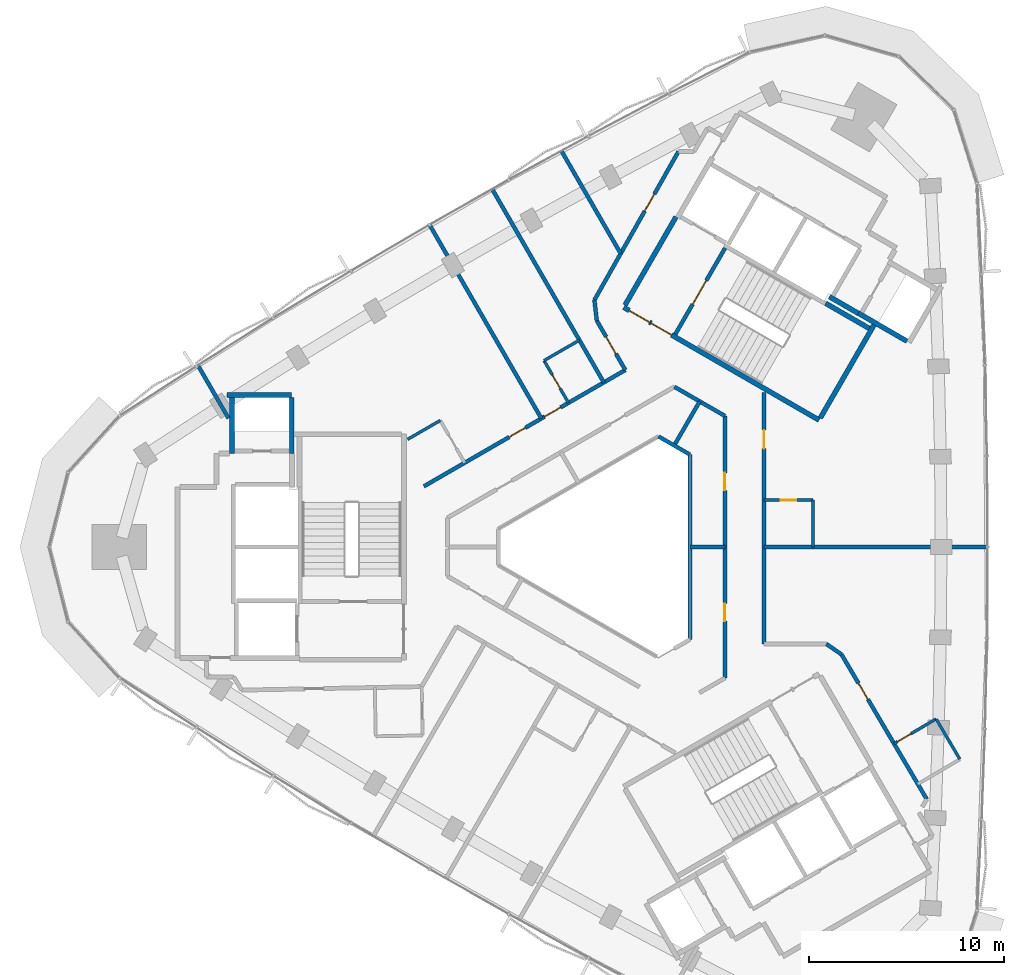
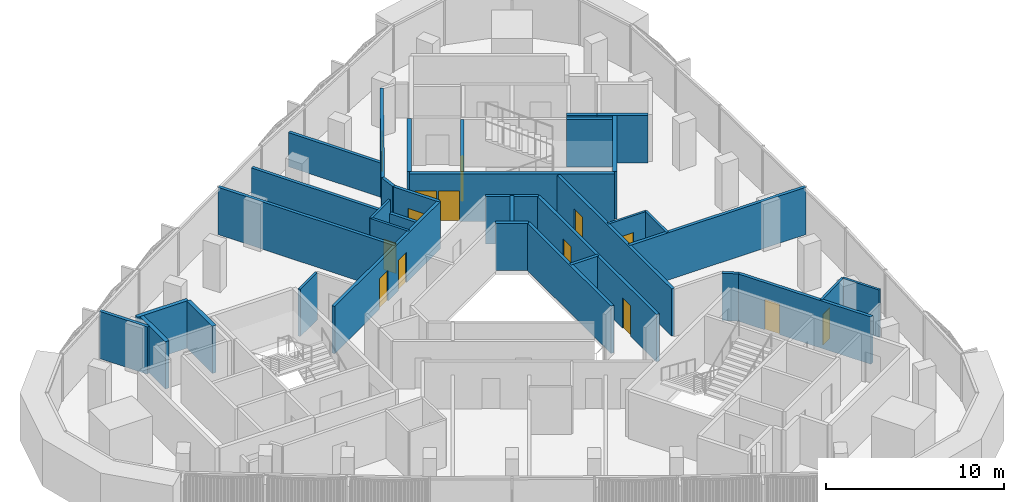
# One storey, part 10 of 16: 35 walls, 14 doors, 14 openings.
"""IFC4 building model written with IfcOpenShell, lengths in metres."""

from ifc_helpers import new_model, si_unit, direction, frame, frame_2d, origin, place, context, subcontext, project, spatial, rectangle, extrude, material, layer, layer_set, type_object, element, fill, save


model = new_model("IFC4")

# Units and contexts
model_context = context("Model", 3, precision=1e-05, world=origin(), true_north=direction((0.0, 1.0)))
body_context = subcontext(model_context, "Body", "Model", "MODEL_VIEW")
ifc_project = project(units=[si_unit("LENGTHUNIT", "METRE"), si_unit("AREAUNIT", "SQUARE_METRE"), si_unit("VOLUMEUNIT", "CUBIC_METRE"), si_unit("PLANEANGLEUNIT", "RADIAN"), si_unit("MASSUNIT", "GRAM", prefix="KILO")], contexts=[model_context])

# Site, building, storey
site_placement = place(None, origin())
site = spatial("IfcSite", under=ifc_project, at=site_placement, CompositionType="ELEMENT")
building_placement = place(site_placement, origin())
building = spatial("IfcBuilding", under=site, at=building_placement, Name="Tamra Quay Hotel Tower", CompositionType="ELEMENT")
storey_placement = place(building_placement, frame((0.0, 0.0, 239.39990234375)))
storey = spatial("IfcBuildingStorey", under=building, at=storey_placement, Name="L60", CompositionType="ELEMENT", Elevation=239.39990234375)

# Wall, opening, door
ifc_material_1 = material(Name="Concrete M70", Category="concrete")
ifc_layer_1 = layer(ifc_material_1, 0.199951171875)
ifc_layer_set_1 = layer_set([ifc_layer_1], Name="Concrete M70 core wall 200")
wall_type_1 = type_object("IfcWallType", Name="Concrete M70 core wall 200", PredefinedType="SHEAR", material=ifc_layer_set_1)
wall_1_placement = place(storey_placement, frame((3.056640625, 10.89453125, 0.0), z_axis=(0.0, 0.0, 1.0), x_axis=(0.500027839223, 0.866009330205, 0.0)))
wall_1 = element("IfcWall", 1, at=wall_1_placement, inside=storey, type_object=wall_type_1, Name="CW2", PredefinedType="SHEAR", context=body_context, shape_type="SweptSolid", body=[
    extrude(rectangle(XDim=5.097900390625, YDim=0.199951171875, at=frame_2d((2.548828125, 0.0))), origin(), (0.0, 0.0, 1.0), 3.25),
])
opening_1_placement = place(wall_1_placement, frame((1.77392578125, 0.0, 0.0)))
opening_1 = element("IfcOpeningElement", 2, at=opening_1_placement, cuts=wall_1, Name="Opening FD2", PredefinedType="OPENING", context=body_context, shape_type="SweptSolid", body=[
    extrude(rectangle(XDim=1.39990234375, YDim=2.10009765625, at=frame_2d((0.699951171875, 1.050048828125))), frame((0.0, 0.10986328125, 0.0), z_axis=(0.0, -1.0, 0.0), x_axis=(1.0, 0.0, 0.0)), (0.0, 0.0, 1.0), 0.219970703125),
])
ifc_material_2 = material(Name="Core door FD2 1400x2100 LH")
door_type_1 = type_object("IfcDoorType", Name="Core door FD2 1400x2100 LH", OperationType="NOTDEFINED", PredefinedType="DOOR", material=ifc_material_2)
door_1_placement = place(opening_1_placement, origin())
door_1 = element("IfcDoor", 3, at=door_1_placement, inside=storey, type_object=door_type_1, Name="FD2", OperationType="SINGLE_SWING_LEFT", OverallHeight=2.10009765625, OverallWidth=1.39990234375, PredefinedType="DOOR", context=body_context, shape_type="SweptSolid", body=[
    extrude(rectangle(XDim=1.39990234375, YDim=2.10009765625, at=frame_2d((0.699951171875, 1.050048828125))), frame((0.0, 0.02490234375, 0.0), z_axis=(0.0, -1.0, 0.0), x_axis=(1.0, 0.0, 0.0)), (0.0, 0.0, 1.0), 0.050048828125),
])
fill(opening_1, door_1)

# Walls
ifc_layer_2 = layer(ifc_material_1, 0.25)
ifc_layer_set_2 = layer_set([ifc_layer_2], Name="Concrete M70 core wall 250")
wall_type_2 = type_object("IfcWallType", Name="Concrete M70 core wall 250", PredefinedType="SHEAR", material=ifc_layer_set_2)
wall_2_placement = place(storey_placement, frame((-19.900390625, 7.77490234375, 0.0), z_axis=(0.0, 0.0, 1.0), x_axis=(1.0, 0.0, 0.0)))
element("IfcWall", 4, at=wall_2_placement, inside=storey, type_object=wall_type_2, Name="CW1", PredefinedType="SHEAR", context=body_context, shape_type="SweptSolid", body=[
    extrude(rectangle(XDim=3.31298828125, YDim=0.25, at=frame_2d((1.656494140625, 0.0))), origin(), (0.0, 0.0, 1.0), 3.25),
])
for number, where, z_axis, x_axis, name in (
    (5, (-16.58740234375, 7.649658203125, 0.0), (0.0, 0.0, 1.0), (0.0, -1.0, 0.0), "CW1"),
    (6, (-19.63720703125, 4.784912109375, 0.0), (0.0, 0.0, 1.0), (0.0, 1.0, 0.0), "CW1"),
):
    element("IfcWall", number, at=place(storey_placement, frame(where, z_axis=z_axis, x_axis=x_axis)), inside=storey, type_object=wall_type_2, Name=name, PredefinedType="SHEAR", context=body_context, shape_type="SweptSolid", body=[
        extrude(rectangle(XDim=2.86474609375, YDim=0.25, at=frame_2d((1.432373046875, 0.0))), origin(), (0.0, 0.0, 1.0), 3.25),
    ])

# Wall, openings, doors
wall_3_placement = place(storey_placement, frame((10.419921875, 6.497802734375, 0.0), z_axis=(0.0, 0.0, 1.0), x_axis=(-0.866021906294, 0.500006057782, 0.0)))
wall_3 = element("IfcWall", 7, at=wall_3_placement, inside=storey, type_object=wall_type_2, Name="CW1", PredefinedType="SHEAR", context=body_context, shape_type="SweptSolid", body=[
    extrude(rectangle(XDim=11.550048828125, YDim=0.25, at=frame_2d((5.77490234375, 0.0))), origin(), (0.0, 0.0, 1.0), 3.25),
])
opening_2_placement = place(wall_3_placement, frame((10.02490234375, 0.0, 0.0)))
opening_2 = element("IfcOpeningElement", 8, at=opening_2_placement, cuts=wall_3, Name="Opening FD1", PredefinedType="OPENING", context=body_context, shape_type="SweptSolid", body=[
    extrude(rectangle(XDim=1.199951171875, YDim=2.10009765625, at=frame_2d((0.60009765625, 1.050048828125))), frame((0.0, 0.135009765625, 0.0), z_axis=(0.0, -1.0, 0.0), x_axis=(1.0, 0.0, 0.0)), (0.0, 0.0, 1.0), 0.27001953125),
])
opening_3_placement = place(wall_3_placement, frame((8.724853515625, 0.0, 0.0)))
opening_3 = element("IfcOpeningElement", 9, at=opening_3_placement, cuts=wall_3, Name="Opening FD1", PredefinedType="OPENING", context=body_context, shape_type="SweptSolid", body=[
    extrude(rectangle(XDim=1.199951171875, YDim=2.10009765625, at=frame_2d((0.60009765625, 1.050048828125))), frame((0.0, 0.135009765625, 0.0), z_axis=(0.0, -1.0, 0.0), x_axis=(1.0, 0.0, 0.0)), (0.0, 0.0, 1.0), 0.27001953125),
])
ifc_material_3 = material(Name="Core door FD1 1200x2100 LH")
door_type_2 = type_object("IfcDoorType", Name="Core door FD1 1200x2100 LH", OperationType="NOTDEFINED", PredefinedType="DOOR", material=ifc_material_3)
door_2_placement = place(opening_2_placement, origin())
door_2 = element("IfcDoor", 10, at=door_2_placement, inside=storey, type_object=door_type_2, Name="FD1", OperationType="SINGLE_SWING_LEFT", OverallHeight=2.10009765625, OverallWidth=1.199951171875, PredefinedType="DOOR", context=body_context, shape_type="SweptSolid", body=[
    extrude(rectangle(XDim=1.199951171875, YDim=2.10009765625, at=frame_2d((0.60009765625, 1.050048828125))), frame((0.0, 0.02490234375, 0.0), z_axis=(0.0, -1.0, 0.0), x_axis=(1.0, 0.0, 0.0)), (0.0, 0.0, 1.0), 0.050048828125),
])
fill(opening_2, door_2)
ifc_material_4 = material(Name="Core door FD1 1200x2100 RH")
door_type_3 = type_object("IfcDoorType", Name="Core door FD1 1200x2100 RH", OperationType="NOTDEFINED", PredefinedType="DOOR", material=ifc_material_4)
door_3_placement = place(opening_3_placement, origin())
door_3 = element("IfcDoor", 11, at=door_3_placement, inside=storey, type_object=door_type_3, Name="FD1", OperationType="SINGLE_SWING_RIGHT", OverallHeight=2.10009765625, OverallWidth=1.199951171875, PredefinedType="DOOR", context=body_context, shape_type="SweptSolid", body=[
    extrude(rectangle(XDim=1.199951171875, YDim=2.10009765625, at=frame_2d((0.60009765625, 1.050048828125))), frame((0.0, 0.02490234375, 0.0), z_axis=(0.0, -1.0, 0.0), x_axis=(1.0, 0.0, 0.0)), (0.0, 0.0, 1.0), 0.050048828125),
])
fill(opening_3, door_3)

# Walls
wall_4_placement = place(storey_placement, frame((0.47998046875, 12.38134765625, 0.0), z_axis=(0.0, 0.0, 1.0), x_axis=(0.49999885962, 0.866026062182, 0.0)))
element("IfcWall", 12, at=wall_4_placement, inside=storey, type_object=wall_type_2, Name="CW1", PredefinedType="SHEAR", context=body_context, shape_type="SweptSolid", body=[
    extrude(rectangle(XDim=5.224609375, YDim=0.25, at=frame_2d((2.6123046875, 0.0))), origin(), (0.0, 0.0, 1.0), 3.25),
])
wall_5_placement = place(storey_placement, frame((13.237548828125, 11.3779296875, 0.0), z_axis=(0.0, 0.0, 1.0), x_axis=(-0.500008851346, -0.866020293397, 0.0)))
element("IfcWall", 13, at=wall_5_placement, inside=storey, type_object=wall_type_2, Name="CW1", PredefinedType="SHEAR", context=body_context, shape_type="SweptSolid", body=[
    extrude(rectangle(XDim=5.509765625, YDim=0.25, at=frame_2d((2.7548828125, 0.0))), origin(), (0.0, 0.0, 1.0), 3.25),
])
wall_6_placement = place(storey_placement, frame((14.91845703125, 10.540283203125, 0.0), z_axis=(0.0, 0.0, 1.0), x_axis=(-0.866063538972, 0.499933942099, 0.0)))
element("IfcWall", 14, at=wall_6_placement, inside=storey, type_object=wall_type_2, Name="CW1", PredefinedType="SHEAR", context=body_context, shape_type="SweptSolid", body=[
    extrude(rectangle(XDim=2.86474609375, YDim=0.25, at=frame_2d((1.432373046875, 0.0))), origin(), (0.0, 0.0, 1.0), 3.25),
])
wall_7_placement = place(storey_placement, frame((10.756591796875, 12.481201171875, 0.0), z_axis=(0.0, 0.0, 1.0), x_axis=(0.866022940537, -0.500004266446, 0.0)))
element("IfcWall", 15, at=wall_7_placement, inside=storey, type_object=wall_type_2, Name="CW1", PredefinedType="SHEAR", context=body_context, shape_type="SweptSolid", body=[
    extrude(rectangle(XDim=2.57470703125, YDim=0.25, at=frame_2d((1.287353515625, 0.0))), origin(), (0.0, 0.0, 1.0), 3.25),
])
wall_8_placement = place(storey_placement, frame((12.4326171875, 11.9638671875, 0.0), z_axis=(0.0, 0.0, 1.0), x_axis=(-0.866038183914, 0.499977863513, 0.0)))
element("IfcWall", 16, at=wall_8_placement, inside=storey, type_object=wall_type_2, Name="CW1", PredefinedType="SHEAR", context=body_context, shape_type="SweptSolid", body=[
    extrude(rectangle(XDim=1.7099609375, YDim=0.25, at=frame_2d((0.85498046875, 0.0))), origin(), (0.0, 0.0, 1.0), 3.25),
])

# Wall, openings, doors
ifc_material_5 = material(Name="Partition corridor wall")
ifc_layer_3 = layer(ifc_material_5, 0.199951171875)
ifc_layer_set_3 = layer_set([ifc_layer_3], Name="Partition corridor wall")
wall_type_3 = type_object("IfcWallType", Name="Partition corridor wall", PredefinedType="PARTITIONING", material=ifc_layer_set_3)
wall_9_placement = place(storey_placement, frame((-9.81689453125, 3.10791015625, 0.0), z_axis=(0.0, 0.0, 1.0), x_axis=(0.86603471326, 0.499983875168, 0.0)))
wall_9 = element("IfcWall", 17, at=wall_9_placement, inside=storey, type_object=wall_type_3, Name="W-C", PredefinedType="PARTITIONING", context=body_context, shape_type="SweptSolid", body=[
    extrude(rectangle(XDim=11.91064453125, YDim=0.199951171875, at=frame_2d((5.955322265625, 0.0))), origin(), (0.0, 0.0, 1.0), 3.25),
])
opening_4_placement = place(wall_9_placement, frame((7.13623046875, 0.0, 0.0)))
opening_4 = element("IfcOpeningElement", 18, at=opening_4_placement, cuts=wall_9, Name="Opening L60-D003", PredefinedType="OPENING", context=body_context, shape_type="SweptSolid", body=[
    extrude(rectangle(XDim=0.949951171875, YDim=2.10009765625, at=frame_2d((0.47509765625, 1.050048828125))), frame((0.0, 0.10986328125, 0.0), z_axis=(0.0, -1.0, 0.0), x_axis=(1.0, 0.0, 0.0)), (0.0, 0.0, 1.0), 0.219970703125),
])
opening_5_placement = place(wall_9_placement, frame((5.049072265625, 0.0, 0.0)))
opening_5 = element("IfcOpeningElement", 19, at=opening_5_placement, cuts=wall_9, Name="Opening L60-D005", PredefinedType="OPENING", context=body_context, shape_type="SweptSolid", body=[
    extrude(rectangle(XDim=0.949951171875, YDim=2.10009765625, at=frame_2d((0.47509765625, 1.050048828125))), frame((0.0, 0.10986328125, 0.0), z_axis=(0.0, -1.0, 0.0), x_axis=(1.0, 0.0, 0.0)), (0.0, 0.0, 1.0), 0.219970703125),
])
ifc_material_6 = material(Name="Door guest room 950x2100")
door_type_4 = type_object("IfcDoorType", Name="Door guest room 950x2100", OperationType="NOTDEFINED", PredefinedType="DOOR", material=ifc_material_6)
door_4_placement = place(opening_4_placement, origin())
door_4 = element("IfcDoor", 20, at=door_4_placement, inside=storey, type_object=door_type_4, Name="L60-D003", OperationType="SINGLE_SWING_LEFT", OverallHeight=2.10009765625, OverallWidth=0.949951171875, PredefinedType="DOOR", context=body_context, shape_type="SweptSolid", body=[
    extrude(rectangle(XDim=0.949951171875, YDim=2.10009765625, at=frame_2d((0.47509765625, 1.050048828125))), frame((0.0, 0.02490234375, 0.0), z_axis=(0.0, -1.0, 0.0), x_axis=(1.0, 0.0, 0.0)), (0.0, 0.0, 1.0), 0.050048828125),
])
fill(opening_4, door_4)
door_5_placement = place(opening_5_placement, origin())
door_5 = element("IfcDoor", 21, at=door_5_placement, inside=storey, type_object=door_type_4, Name="L60-D005", OperationType="SINGLE_SWING_LEFT", OverallHeight=2.10009765625, OverallWidth=0.949951171875, PredefinedType="DOOR", context=body_context, shape_type="SweptSolid", body=[
    extrude(rectangle(XDim=0.949951171875, YDim=2.10009765625, at=frame_2d((0.47509765625, 1.050048828125))), frame((0.0, 0.02490234375, 0.0), z_axis=(0.0, -1.0, 0.0), x_axis=(1.0, 0.0, 0.0)), (0.0, 0.0, 1.0), 0.050048828125),
])
fill(opening_5, door_5)

# Wall
wall_10_placement = place(storey_placement, frame((-1.0849609375, 12.64990234375, 0.0), z_axis=(0.0, 0.0, 1.0), x_axis=(0.113812454263, -0.993502252264, 0.0)))
element("IfcWall", 22, at=wall_10_placement, inside=storey, type_object=wall_type_3, Name="W-C", PredefinedType="PARTITIONING", context=body_context, shape_type="SweptSolid", body=[
    extrude(rectangle(XDim=1.061767578125, YDim=0.199951171875, at=frame_2d((0.53076171875, 0.0))), origin(), (0.0, 0.0, 1.0), 3.25),
])

# Wall, opening, door
wall_11_placement = place(storey_placement, frame((-1.084228515625, 12.649658203125, 0.0), z_axis=(0.0, 0.0, 1.0), x_axis=(0.492373019537, 0.87038428848, 0.0)))
wall_11 = element("IfcWall", 23, at=wall_11_placement, inside=storey, type_object=wall_type_3, Name="W-C", PredefinedType="PARTITIONING", context=body_context, shape_type="SweptSolid", body=[
    extrude(rectangle(XDim=8.73779296875, YDim=0.199951171875, at=frame_2d((4.368896484375, 0.0))), origin(), (0.0, 0.0, 1.0), 3.25),
])
opening_6_placement = place(wall_11_placement, frame((5.22998046875, 0.0, 0.0)))
opening_6 = element("IfcOpeningElement", 24, at=opening_6_placement, cuts=wall_11, Name="Opening L60-D001", PredefinedType="OPENING", context=body_context, shape_type="SweptSolid", body=[
    extrude(rectangle(XDim=1.0, YDim=2.10009765625, at=frame_2d((0.5, 1.050048828125))), frame((0.0, 0.10986328125, 0.0), z_axis=(0.0, -1.0, 0.0), x_axis=(1.0, 0.0, 0.0)), (0.0, 0.0, 1.0), 0.219970703125),
])
ifc_material_7 = material(Name="Door guest room 1000x2100")
door_type_5 = type_object("IfcDoorType", Name="Door guest room 1000x2100", OperationType="NOTDEFINED", PredefinedType="DOOR", material=ifc_material_7)
door_6_placement = place(opening_6_placement, origin())
door_6 = element("IfcDoor", 25, at=door_6_placement, inside=storey, type_object=door_type_5, Name="L60-D001", OperationType="SINGLE_SWING_LEFT", OverallHeight=2.10009765625, OverallWidth=1.0, PredefinedType="DOOR", context=body_context, shape_type="SweptSolid", body=[
    extrude(rectangle(XDim=1.0, YDim=2.10009765625, at=frame_2d((0.5, 1.050048828125))), frame((0.0, 0.02490234375, 0.0), z_axis=(0.0, -1.0, 0.0), x_axis=(1.0, 0.0, 0.0)), (0.0, 0.0, 1.0), 0.050048828125),
])
fill(opening_6, door_6)

wall_12_placement = place(storey_placement, frame((-0.964111328125, 11.594970703125, 0.0), z_axis=(0.0, 0.0, 1.0), x_axis=(0.500081432713, -0.865978383481, 0.0)))
wall_12 = element("IfcWall", 26, at=wall_12_placement, inside=storey, type_object=wall_type_3, Name="W-C", PredefinedType="PARTITIONING", context=body_context, shape_type="SweptSolid", body=[
    extrude(rectangle(XDim=2.923828125, YDim=0.199951171875, at=frame_2d((1.4619140625, 0.0))), origin(), (0.0, 0.0, 1.0), 3.25),
])
opening_7_placement = place(wall_12_placement, frame((0.9619140625, 0.0, 0.0)))
opening_7 = element("IfcOpeningElement", 27, at=opening_7_placement, cuts=wall_12, Name="Opening L60-D002", PredefinedType="OPENING", context=body_context, shape_type="SweptSolid", body=[
    extrude(rectangle(XDim=1.0, YDim=2.10009765625, at=frame_2d((0.5, 1.050048828125))), frame((0.0, 0.10986328125, 0.0), z_axis=(0.0, -1.0, 0.0), x_axis=(1.0, 0.0, 0.0)), (0.0, 0.0, 1.0), 0.219970703125),
])
door_7_placement = place(opening_7_placement, origin())
door_7 = element("IfcDoor", 28, at=door_7_placement, inside=storey, type_object=door_type_5, Name="L60-D002", OperationType="SINGLE_SWING_LEFT", OverallHeight=2.10009765625, OverallWidth=1.0, PredefinedType="DOOR", context=body_context, shape_type="SweptSolid", body=[
    extrude(rectangle(XDim=1.0, YDim=2.10009765625, at=frame_2d((0.5, 1.050048828125))), frame((0.0, 0.02490234375, 0.0), z_axis=(0.0, -1.0, 0.0), x_axis=(1.0, 0.0, 0.0)), (0.0, 0.0, 1.0), 0.050048828125),
])
fill(opening_7, door_7)

# Wall
wall_13_placement = place(storey_placement, frame((3.01123046875, 8.203857421875, 0.0), z_axis=(0.0, 0.0, 1.0), x_axis=(0.86628077395, -0.499557424812, 0.0)))
element("IfcWall", 29, at=wall_13_placement, inside=storey, type_object=wall_type_3, Name="W-C", PredefinedType="PARTITIONING", context=body_context, shape_type="SweptSolid", body=[
    extrude(rectangle(XDim=2.988525390625, YDim=0.199951171875, at=frame_2d((1.494140625, 0.0))), origin(), (0.0, 0.0, 1.0), 3.25),
])

# Wall, openings, doors
wall_14_placement = place(storey_placement, frame((5.60009765625, -6.7109375, 0.0), z_axis=(0.0, 0.0, 1.0), x_axis=(0.0, 1.0, 0.0)))
wall_14 = element("IfcWall", 30, at=wall_14_placement, inside=storey, type_object=wall_type_3, Name="W-C", PredefinedType="PARTITIONING", context=body_context, shape_type="SweptSolid", body=[
    extrude(rectangle(XDim=13.421875, YDim=0.199951171875, at=frame_2d((6.7109375, 0.0))), origin(), (0.0, 0.0, 1.0), 3.25),
])
opening_8_placement = place(wall_14_placement, frame((2.91162109375, 0.0, 0.0)))
opening_8 = element("IfcOpeningElement", 31, at=opening_8_placement, cuts=wall_14, Name="Opening L60-D017", PredefinedType="OPENING", context=body_context, shape_type="SweptSolid", body=[
    extrude(rectangle(XDim=0.89990234375, YDim=2.10009765625, at=frame_2d((0.449951171875, 1.050048828125))), frame((0.0, 0.10986328125, 0.0), z_axis=(0.0, -1.0, 0.0), x_axis=(1.0, 0.0, 0.0)), (0.0, 0.0, 1.0), 0.219970703125),
])
opening_9_placement = place(wall_14_placement, frame((9.610595703125, 0.0, 0.0)))
opening_9 = element("IfcOpeningElement", 32, at=opening_9_placement, cuts=wall_14, Name="Opening L60-D018", PredefinedType="OPENING", context=body_context, shape_type="SweptSolid", body=[
    extrude(rectangle(XDim=0.89990234375, YDim=2.10009765625, at=frame_2d((0.449951171875, 1.050048828125))), frame((0.0, 0.10986328125, 0.0), z_axis=(0.0, -1.0, 0.0), x_axis=(1.0, 0.0, 0.0)), (0.0, 0.0, 1.0), 0.219970703125),
])
ifc_material_8 = material(Name="Door service room 900x2100")
door_type_6 = type_object("IfcDoorType", Name="Door service room 900x2100", OperationType="NOTDEFINED", PredefinedType="DOOR", material=ifc_material_8)
door_8_placement = place(opening_8_placement, origin())
door_8 = element("IfcDoor", 33, at=door_8_placement, inside=storey, type_object=door_type_6, Name="L60-D017", OperationType="SINGLE_SWING_LEFT", OverallHeight=2.10009765625, OverallWidth=0.89990234375, PredefinedType="DOOR", context=body_context, shape_type="SweptSolid", body=[
    extrude(rectangle(XDim=0.89990234375, YDim=2.10009765625, at=frame_2d((0.449951171875, 1.050048828125))), frame((0.0, 0.02490234375, 0.0), z_axis=(0.0, -1.0, 0.0), x_axis=(1.0, 0.0, 0.0)), (0.0, 0.0, 1.0), 0.050048828125),
])
fill(opening_8, door_8)
door_9_placement = place(opening_9_placement, origin())
door_9 = element("IfcDoor", 34, at=door_9_placement, inside=storey, type_object=door_type_6, Name="L60-D018", OperationType="SINGLE_SWING_LEFT", OverallHeight=2.10009765625, OverallWidth=0.89990234375, PredefinedType="DOOR", context=body_context, shape_type="SweptSolid", body=[
    extrude(rectangle(XDim=0.89990234375, YDim=2.10009765625, at=frame_2d((0.449951171875, 1.050048828125))), frame((0.0, 0.02490234375, 0.0), z_axis=(0.0, -1.0, 0.0), x_axis=(1.0, 0.0, 0.0)), (0.0, 0.0, 1.0), 0.050048828125),
])
fill(opening_9, door_9)

# Wall, opening, door
wall_15_placement = place(storey_placement, frame((7.60009765625, -4.966064453125, 0.0), z_axis=(0.0, 0.0, 1.0), x_axis=(0.0, 1.0, 0.0)))
wall_15 = element("IfcWall", 35, at=wall_15_placement, inside=storey, type_object=wall_type_3, Name="W-C", PredefinedType="PARTITIONING", context=body_context, shape_type="SweptSolid", body=[
    extrude(rectangle(XDim=12.87841796875, YDim=0.199951171875, at=frame_2d((6.439208984375, 0.0))), origin(), (0.0, 0.0, 1.0), 3.25),
])
opening_10_placement = place(wall_15_placement, frame((10.00390625, 0.0, 0.0)))
opening_10 = element("IfcOpeningElement", 36, at=opening_10_placement, cuts=wall_15, Name="Opening L60-D015", PredefinedType="OPENING", context=body_context, shape_type="SweptSolid", body=[
    extrude(rectangle(XDim=0.949951171875, YDim=2.10009765625, at=frame_2d((0.47509765625, 1.050048828125))), frame((0.0, 0.10986328125, 0.0), z_axis=(0.0, -1.0, 0.0), x_axis=(1.0, 0.0, 0.0)), (0.0, 0.0, 1.0), 0.219970703125),
])
door_10_placement = place(opening_10_placement, frame((0.949951171875, 0.0, 0.0), z_axis=(0.0, 0.0, 1.0), x_axis=(-1.0, 0.0, 0.0)))
door_10 = element("IfcDoor", 37, at=door_10_placement, inside=storey, type_object=door_type_4, Name="L60-D015", OperationType="SINGLE_SWING_LEFT", OverallHeight=2.10009765625, OverallWidth=0.949951171875, PredefinedType="DOOR", context=body_context, shape_type="SweptSolid", body=[
    extrude(rectangle(XDim=0.949951171875, YDim=2.10009765625, at=frame_2d((0.47509765625, 1.050048828125))), frame((0.0, 0.02490234375, 0.0), z_axis=(0.0, -1.0, 0.0), x_axis=(1.0, 0.0, 0.0)), (0.0, 0.0, 1.0), 0.050048828125),
])
fill(opening_10, door_10)

# Wall
wall_16_placement = place(storey_placement, frame((10.7939453125, -4.966064453125, 0.0), z_axis=(0.0, 0.0, 1.0), x_axis=(0.822266583859, -0.569102508401, 0.0)))
element("IfcWall", 38, at=wall_16_placement, inside=storey, type_object=wall_type_3, Name="W-C", PredefinedType="PARTITIONING", context=body_context, shape_type="SweptSolid", body=[
    extrude(rectangle(XDim=0.945068359375, YDim=0.199951171875, at=frame_2d((0.47265625, 0.0))), origin(), (0.0, 0.0, 1.0), 3.25),
])

# Wall, opening, door
wall_17_placement = place(storey_placement, frame((11.571044921875, -5.5048828125, 0.0), z_axis=(0.0, 0.0, 1.0), x_axis=(0.507291838928, -0.861774326699, 0.0)))
wall_17 = element("IfcWall", 39, at=wall_17_placement, inside=storey, type_object=wall_type_3, Name="W-C", PredefinedType="PARTITIONING", context=body_context, shape_type="SweptSolid", body=[
    extrude(rectangle(XDim=8.5986328125, YDim=0.199951171875, at=frame_2d((4.29931640625, 0.0))), origin(), (0.0, 0.0, 1.0), 3.25),
])
opening_11_placement = place(wall_17_placement, frame((1.71240234375, 0.0, 0.0)))
opening_11 = element("IfcOpeningElement", 40, at=opening_11_placement, cuts=wall_17, Name="Opening L60-D013", PredefinedType="OPENING", context=body_context, shape_type="SweptSolid", body=[
    extrude(rectangle(XDim=0.949951171875, YDim=2.10009765625, at=frame_2d((0.47509765625, 1.050048828125))), frame((0.0, 0.10986328125, 0.0), z_axis=(0.0, -1.0, 0.0), x_axis=(1.0, 0.0, 0.0)), (0.0, 0.0, 1.0), 0.219970703125),
])
door_11_placement = place(opening_11_placement, origin())
door_11 = element("IfcDoor", 41, at=door_11_placement, inside=storey, type_object=door_type_4, Name="L60-D013", OperationType="SINGLE_SWING_LEFT", OverallHeight=2.10009765625, OverallWidth=0.949951171875, PredefinedType="DOOR", context=body_context, shape_type="SweptSolid", body=[
    extrude(rectangle(XDim=0.949951171875, YDim=2.10009765625, at=frame_2d((0.47509765625, 1.050048828125))), frame((0.0, 0.02490234375, 0.0), z_axis=(0.0, -1.0, 0.0), x_axis=(1.0, 0.0, 0.0)), (0.0, 0.0, 1.0), 0.050048828125),
])
fill(opening_11, door_11)

# Walls
ifc_material_9 = material(Name="Partition en-suite wall")
ifc_layer_4 = layer(ifc_material_9, 0.14990234375)
ifc_layer_set_4 = layer_set([ifc_layer_4], Name="Partition en-suite wall")
wall_type_4 = type_object("IfcWallType", Name="Partition en-suite wall", PredefinedType="PARTITIONING", material=ifc_layer_set_4)
wall_18_placement = place(storey_placement, frame((-10.65234375, 5.51220703125, 0.0), z_axis=(0.0, 0.0, 1.0), x_axis=(0.866017156151, 0.500014285048, 0.0)))
element("IfcWall", 42, at=wall_18_placement, inside=storey, type_object=wall_type_4, Name="W-E", PredefinedType="PARTITIONING", context=body_context, shape_type="SweptSolid", body=[
    extrude(rectangle(XDim=1.93115234375, YDim=0.14990234375, at=frame_2d((0.965576171875, 0.0))), origin(), (0.0, 0.0, 1.0), 3.25),
])
wall_19_placement = place(storey_placement, frame((-3.6640625, 9.547119140625, 0.0), z_axis=(0.0, 0.0, 1.0), x_axis=(0.866049423672, 0.499958394027, 0.0)))
element("IfcWall", 43, at=wall_19_placement, inside=storey, type_object=wall_type_4, Name="W-E", PredefinedType="PARTITIONING", context=body_context, shape_type="SweptSolid", body=[
    extrude(rectangle(XDim=2.090087890625, YDim=0.14990234375, at=frame_2d((1.044921875, 0.0))), origin(), (0.0, 0.0, 1.0), 3.25),
])

# Wall, opening, door
wall_20_placement = place(storey_placement, frame((-3.6640625, 9.547119140625, 0.0), z_axis=(0.0, 0.0, 1.0), x_axis=(0.500004234368, -0.866022959057, 0.0)))
wall_20 = element("IfcWall", 44, at=wall_20_placement, inside=storey, type_object=wall_type_4, Name="W-E", PredefinedType="PARTITIONING", context=body_context, shape_type="SweptSolid", body=[
    extrude(rectangle(XDim=2.5, YDim=0.14990234375, at=frame_2d((1.25, 0.0))), origin(), (0.0, 0.0, 1.0), 3.25),
])
opening_12_placement = place(wall_20_placement, frame((0.849853515625, 0.0, 0.0)))
opening_12 = element("IfcOpeningElement", 45, at=opening_12_placement, cuts=wall_20, Name="Opening L60-D004", PredefinedType="OPENING", context=body_context, shape_type="SweptSolid", body=[
    extrude(rectangle(XDim=0.800048828125, YDim=2.10009765625, at=frame_2d((0.39990234375, 1.050048828125))), frame((0.0, 0.0849609375, 0.0), z_axis=(0.0, -1.0, 0.0), x_axis=(1.0, 0.0, 0.0)), (0.0, 0.0, 1.0), 0.169921875),
])
ifc_material_10 = material(Name="Door en-suite 800x2100")
door_type_7 = type_object("IfcDoorType", Name="Door en-suite 800x2100", OperationType="NOTDEFINED", PredefinedType="DOOR", material=ifc_material_10)
door_12_placement = place(opening_12_placement, origin())
door_12 = element("IfcDoor", 46, at=door_12_placement, inside=storey, type_object=door_type_7, Name="L60-D004", OperationType="SINGLE_SWING_LEFT", OverallHeight=2.10009765625, OverallWidth=0.800048828125, PredefinedType="DOOR", context=body_context, shape_type="SweptSolid", body=[
    extrude(rectangle(XDim=0.800048828125, YDim=2.10009765625, at=frame_2d((0.39990234375, 1.050048828125))), frame((0.0, 0.02490234375, 0.0), z_axis=(0.0, -1.0, 0.0), x_axis=(1.0, 0.0, 0.0)), (0.0, 0.0, 1.0), 0.050048828125),
])
fill(opening_12, door_12)

wall_21_placement = place(storey_placement, frame((7.60107421875, 2.39990234375, 0.0), z_axis=(0.0, 0.0, 1.0), x_axis=(1.0, 0.0, 0.0)))
wall_21 = element("IfcWall", 47, at=wall_21_placement, inside=storey, type_object=wall_type_4, Name="W-E", PredefinedType="PARTITIONING", context=body_context, shape_type="SweptSolid", body=[
    extrude(rectangle(XDim=2.496826171875, YDim=0.14990234375, at=frame_2d((1.24853515625, 0.0))), origin(), (0.0, 0.0, 1.0), 3.25),
])
opening_13_placement = place(wall_21_placement, frame((0.84912109375, 0.0, 0.0)))
opening_13 = element("IfcOpeningElement", 48, at=opening_13_placement, cuts=wall_21, Name="Opening L60-D016", PredefinedType="OPENING", context=body_context, shape_type="SweptSolid", body=[
    extrude(rectangle(XDim=0.800048828125, YDim=2.10009765625, at=frame_2d((0.39990234375, 1.050048828125))), frame((0.0, 0.0849609375, 0.0), z_axis=(0.0, -1.0, 0.0), x_axis=(1.0, 0.0, 0.0)), (0.0, 0.0, 1.0), 0.169921875),
])
door_13_placement = place(opening_13_placement, origin())
door_13 = element("IfcDoor", 49, at=door_13_placement, inside=storey, type_object=door_type_7, Name="L60-D016", OperationType="SINGLE_SWING_LEFT", OverallHeight=2.10009765625, OverallWidth=0.800048828125, PredefinedType="DOOR", context=body_context, shape_type="SweptSolid", body=[
    extrude(rectangle(XDim=0.800048828125, YDim=2.10009765625, at=frame_2d((0.39990234375, 1.050048828125))), frame((0.0, 0.02490234375, 0.0), z_axis=(0.0, -1.0, 0.0), x_axis=(1.0, 0.0, 0.0)), (0.0, 0.0, 1.0), 0.050048828125),
])
fill(opening_13, door_13)

# Wall
wall_22_placement = place(storey_placement, frame((10.10009765625, 0.0009765625, 0.0), z_axis=(0.0, 0.0, 1.0), x_axis=(0.0, 1.0, 0.0)))
element("IfcWall", 50, at=wall_22_placement, inside=storey, type_object=wall_type_4, Name="W-E", PredefinedType="PARTITIONING", context=body_context, shape_type="SweptSolid", body=[
    extrude(rectangle(XDim=2.39697265625, YDim=0.14990234375, at=frame_2d((1.198486328125, 0.0))), origin(), (0.0, 0.0, 1.0), 3.25),
])

# Wall, opening, door
wall_23_placement = place(storey_placement, frame((14.261962890625, -10.072021484375, 0.0), z_axis=(0.0, 0.0, 1.0), x_axis=(0.861699433364, 0.507419044322, 0.0)))
wall_23 = element("IfcWall", 51, at=wall_23_placement, inside=storey, type_object=wall_type_4, Name="W-E", PredefinedType="PARTITIONING", context=body_context, shape_type="SweptSolid", body=[
    extrude(rectangle(XDim=2.487060546875, YDim=0.14990234375, at=frame_2d((1.24365234375, 0.0))), origin(), (0.0, 0.0, 1.0), 3.25),
])
opening_14_placement = place(wall_23_placement, frame((0.19775390625, 0.0, 0.0)))
opening_14 = element("IfcOpeningElement", 52, at=opening_14_placement, cuts=wall_23, Name="Opening L60-D014", PredefinedType="OPENING", context=body_context, shape_type="SweptSolid", body=[
    extrude(rectangle(XDim=0.800048828125, YDim=2.10009765625, at=frame_2d((0.39990234375, 1.050048828125))), frame((0.0, 0.0849609375, 0.0), z_axis=(0.0, -1.0, 0.0), x_axis=(1.0, 0.0, 0.0)), (0.0, 0.0, 1.0), 0.169921875),
])
door_14_placement = place(opening_14_placement, frame((0.800048828125, 0.0, 0.0), z_axis=(0.0, 0.0, 1.0), x_axis=(-1.0, 0.0, 0.0)))
door_14 = element("IfcDoor", 53, at=door_14_placement, inside=storey, type_object=door_type_7, Name="L60-D014", OperationType="SINGLE_SWING_LEFT", OverallHeight=2.10009765625, OverallWidth=0.800048828125, PredefinedType="DOOR", context=body_context, shape_type="SweptSolid", body=[
    extrude(rectangle(XDim=0.800048828125, YDim=2.10009765625, at=frame_2d((0.39990234375, 1.050048828125))), frame((0.0, 0.02490234375, 0.0), z_axis=(0.0, -1.0, 0.0), x_axis=(1.0, 0.0, 0.0)), (0.0, 0.0, 1.0), 0.050048828125),
])
fill(opening_14, door_14)

# Walls
wall_24_placement = place(storey_placement, frame((16.4189453125, -8.81396484375, 0.0), z_axis=(0.0, 0.0, 1.0), x_axis=(0.507674628474, -0.861548879405, 0.0)))
element("IfcWall", 54, at=wall_24_placement, inside=storey, type_object=wall_type_4, Name="W-E", PredefinedType="PARTITIONING", context=body_context, shape_type="SweptSolid", body=[
    extrude(rectangle(XDim=2.37939453125, YDim=0.14990234375, at=frame_2d((1.189697265625, 0.0))), origin(), (0.0, 0.0, 1.0), 3.25),
])
ifc_material_11 = material(Name="Partition party wall")
ifc_layer_5 = layer(ifc_material_11, 0.199951171875)
ifc_layer_set_5 = layer_set([ifc_layer_5], Name="Partition party wall")
wall_type_5 = type_object("IfcWallType", Name="Partition party wall", PredefinedType="PARTITIONING", material=ifc_layer_set_5)
wall_25_placement = place(storey_placement, frame((-21.38623046875, 9.29833984375, 0.0), z_axis=(0.0, 0.0, 1.0), x_axis=(0.500017489778, -0.866015305821, 0.0)))
element("IfcWall", 55, at=wall_25_placement, inside=storey, type_object=wall_type_5, Name="W-P", PredefinedType="PARTITIONING", context=body_context, shape_type="SweptSolid", body=[
    extrude(rectangle(XDim=3.1279296875, YDim=0.199951171875, at=frame_2d((1.56396484375, 0.0))), origin(), (0.0, 0.0, 1.0), 3.25),
])
wall_26_placement = place(storey_placement, frame((-9.525390625, 16.497802734375, 0.0), z_axis=(0.0, 0.0, 1.0), x_axis=(0.500030684965, -0.866007687087, 0.0)))
element("IfcWall", 56, at=wall_26_placement, inside=storey, type_object=wall_type_5, Name="W-P", PredefinedType="PARTITIONING", context=body_context, shape_type="SweptSolid", body=[
    extrude(rectangle(XDim=11.449951171875, YDim=0.199951171875, at=frame_2d((5.72509765625, 0.0))), origin(), (0.0, 0.0, 1.0), 3.25),
])
wall_27_placement = place(storey_placement, frame((-6.3154296875, 18.319580078125, 0.0), z_axis=(0.0, 0.0, 1.0), x_axis=(0.500012296027, -0.866018304553, 0.0)))
element("IfcWall", 57, at=wall_27_placement, inside=storey, type_object=wall_type_5, Name="W-P", PredefinedType="PARTITIONING", context=body_context, shape_type="SweptSolid", body=[
    extrude(rectangle(XDim=11.423095703125, YDim=0.199951171875, at=frame_2d((5.71142578125, 0.0))), origin(), (0.0, 0.0, 1.0), 2.35009765625),
])
wall_28_placement = place(storey_placement, frame((-2.77099609375, 20.279296875, 0.0), z_axis=(0.0, 0.0, 1.0), x_axis=(0.499939878606, -0.866060112105, 0.0)))
element("IfcWall", 58, at=wall_28_placement, inside=storey, type_object=wall_type_5, Name="W-P", PredefinedType="PARTITIONING", context=body_context, shape_type="SweptSolid", body=[
    extrude(rectangle(XDim=6.058837890625, YDim=0.199951171875, at=frame_2d((3.029296875, 0.0))), origin(), (0.0, 0.0, 1.0), 2.35009765625),
])
wall_29_placement = place(storey_placement, frame((2.2001953125, 5.658447265625, 0.0), z_axis=(0.0, 0.0, 1.0), x_axis=(0.865818011038, -0.500359042851, 0.0)))
element("IfcWall", 59, at=wall_29_placement, inside=storey, type_object=wall_type_5, Name="W-P", PredefinedType="PARTITIONING", context=body_context, shape_type="SweptSolid", body=[
    extrude(rectangle(XDim=1.847900390625, YDim=0.199951171875, at=frame_2d((0.923828125, 0.0))), origin(), (0.0, 0.0, 1.0), 3.25),
])
wall_30_placement = place(storey_placement, frame((3.0, 5.196044921875, 0.0), z_axis=(0.0, 0.0, 1.0), x_axis=(0.500076354988, 0.865981315724, 0.0)))
element("IfcWall", 60, at=wall_30_placement, inside=storey, type_object=wall_type_5, Name="W-P", PredefinedType="PARTITIONING", context=body_context, shape_type="SweptSolid", body=[
    extrude(rectangle(XDim=2.607421875, YDim=0.199951171875, at=frame_2d((1.3037109375, 0.0))), origin(), (0.0, 0.0, 1.0), 3.25),
])
wall_31_placement = place(storey_placement, frame((3.800048828125, -4.73388671875, 0.0), z_axis=(0.0, 0.0, 1.0), x_axis=(0.0, 1.0, 0.0)))
element("IfcWall", 61, at=wall_31_placement, inside=storey, type_object=wall_type_5, Name="W-P", PredefinedType="PARTITIONING", context=body_context, shape_type="SweptSolid", body=[
    extrude(rectangle(XDim=9.4677734375, YDim=0.199951171875, at=frame_2d((4.73388671875, 0.0))), origin(), (0.0, 0.0, 1.0), 3.25),
])
wall_32_placement = place(storey_placement, frame((3.800048828125, 0.0, 0.0), z_axis=(0.0, 0.0, 1.0), x_axis=(1.0, 0.0, 0.0)))
element("IfcWall", 62, at=wall_32_placement, inside=storey, type_object=wall_type_5, Name="W-P", PredefinedType="PARTITIONING", context=body_context, shape_type="SweptSolid", body=[
    extrude(rectangle(XDim=1.800048828125, YDim=0.199951171875, at=frame_2d((0.89990234375, 0.0))), origin(), (0.0, 0.0, 1.0), 3.25),
])
wall_33_placement = place(storey_placement, frame((7.60107421875, 0.0, 0.0), z_axis=(0.0, 0.0, 1.0), x_axis=(1.0, 0.0, 0.0)))
element("IfcWall", 63, at=wall_33_placement, inside=storey, type_object=wall_type_5, Name="W-P", PredefinedType="PARTITIONING", context=body_context, shape_type="SweptSolid", body=[
    extrude(rectangle(XDim=11.448974609375, YDim=0.199951171875, at=frame_2d((5.724609375, 0.0))), origin(), (0.0, 0.0, 1.0), 3.25),
])

save(model, "model.ifc")
